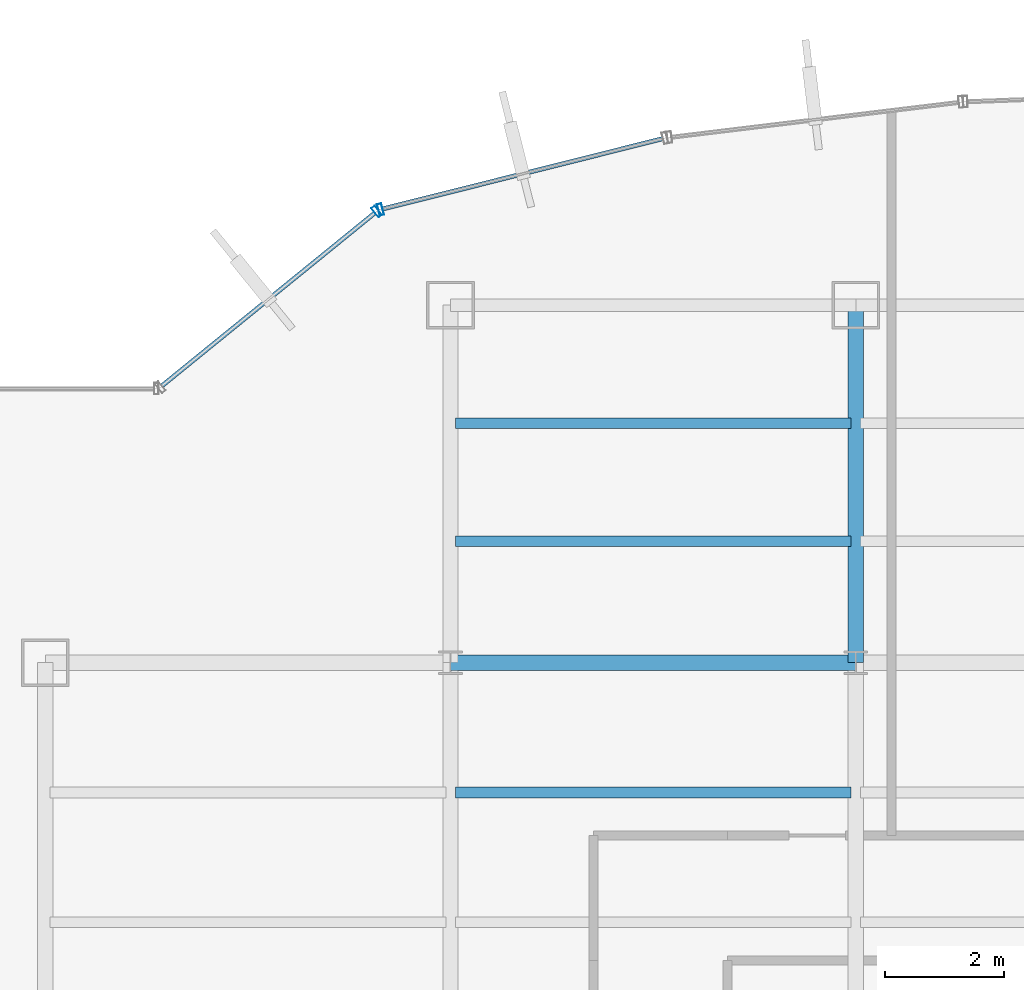
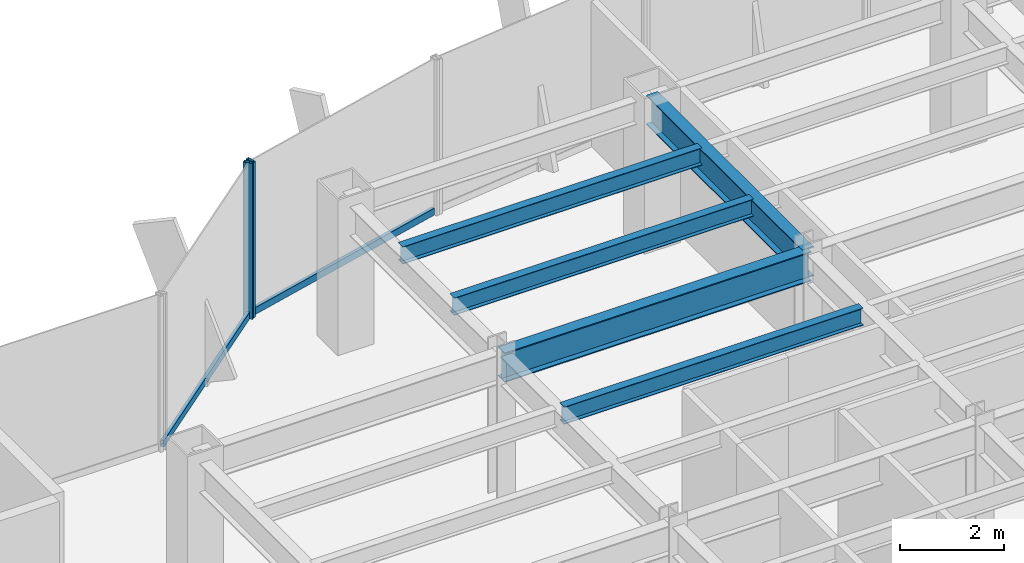
# One storey, part 14 of 26: 5 beams, 4 members, 2 elements without a shape of their own.
"""IFC4 building model written with IfcOpenShell, lengths in metres."""

import ifcopenshell
import ifcopenshell.guid

model = None  # the IFC model being written
_history = None  # IfcOwnerHistory: only IFC2X3 demands one
_inside = {}  # id of a spatial element -> (the spatial element, [elements in it])
_under = {}  # id of a project, library or spatial element -> (it, [spatial elements below it])
_declared = {}  # id of a project -> (the project, [libraries it declares])
_typed = {}  # id of a type object -> (the type object, [elements of that type])
_made_of = {}  # id of a material, layer set ... -> (it, [elements and type objects made of it])


def new_model(schema):
    """Start an empty IFC model of exactly this schema.

    Asked for "IFC4X3", IfcOpenShell would pick the latest addendum, in which some entities
    have other attributes; the version numbers below select the first issue.
    IFC2X3 requires an IfcOwnerHistory on every rooted entity: one is made here for all.
    """
    global model, _history
    if schema == "IFC4X3":
        model = ifcopenshell.file(schema_version=(4, 3, 0, 0))
    else:
        model = ifcopenshell.file(schema=schema)
    _inside.clear()
    _under.clear()
    _declared.clear()
    _typed.clear()
    _made_of.clear()
    _history = None
    if model.schema == "IFC2X3":
        org = make("IfcOrganization", Name="unknown")
        user = make(
            "IfcPersonAndOrganization",
            ThePerson=make("IfcPerson", FamilyName="unknown"),
            TheOrganization=org,
        )
        app = make(
            "IfcApplication",
            ApplicationDeveloper=org,
            Version="unknown",
            ApplicationFullName="unknown",
            ApplicationIdentifier="unknown",
        )
        _history = make(
            "IfcOwnerHistory",
            OwningUser=user,
            OwningApplication=app,
            ChangeAction="ADDED",
            CreationDate=0,
        )
    return model


def make(cls, **values):
    """One entity of the class cls with the attributes given. An attribute that is None is left unset."""
    return model.create_entity(
        cls, **{name: value for name, value in values.items() if value is not None}
    )


def rooted(cls, **values):
    """An entity with a GlobalId (a new one), such as an element, a storey or a relation."""
    return make(cls, GlobalId=ifcopenshell.guid.new(), OwnerHistory=_history, **values)


def si_unit(unit_type, name, prefix=None):
    """IfcSIUnit, for example si_unit("LENGTHUNIT", "METRE", prefix="MILLI")."""
    return make("IfcSIUnit", UnitType=unit_type, Prefix=prefix, Name=name)


def derived_unit(unit_type, elements):
    """IfcDerivedUnit: a product of units, each with its exponent."""
    return make(
        "IfcDerivedUnit",
        Elements=[
            make("IfcDerivedUnitElement", Unit=unit, Exponent=power)
            for unit, power in elements
        ],
        UnitType=unit_type,
    )


def assignment(units):
    """IfcUnitAssignment: the units of a project."""
    return None if units is None else make("IfcUnitAssignment", Units=units)


def point(xyz):
    """IfcCartesianPoint."""
    return None if xyz is None else make("IfcCartesianPoint", Coordinates=xyz)


def direction(xyz):
    """IfcDirection."""
    return None if xyz is None else make("IfcDirection", DirectionRatios=xyz)


def frame(location, z_axis=None, x_axis=None):
    """IfcAxis2Placement3D, a coordinate frame: its origin and axes. An axis left out is left unset."""
    return make(
        "IfcAxis2Placement3D",
        Location=point(location),
        Axis=direction(z_axis),
        RefDirection=direction(x_axis),
    )


def frame_2d(location, x_axis=None):
    """IfcAxis2Placement2D, a coordinate frame in the plane: its origin and x axis."""
    return make(
        "IfcAxis2Placement2D", Location=point(location), RefDirection=direction(x_axis)
    )


def origin():
    """The frame at (0, 0, 0) with its axes left unset."""
    return frame((0.0, 0.0, 0.0))


def origin_2d():
    """The frame at (0, 0) in the plane with its x axis left unset."""
    return frame_2d((0.0, 0.0))


def place(relative_to, where):
    """IfcLocalPlacement: puts the frame where relative to a parent placement (None: the world)."""
    return make(
        "IfcLocalPlacement", PlacementRelTo=relative_to, RelativePlacement=where
    )


def context(
    kind, dimensions, precision=None, world=None, true_north=None, identifier=None
):
    """IfcGeometricRepresentationContext, for example the 3D "Model" context."""
    return make(
        "IfcGeometricRepresentationContext",
        ContextIdentifier=identifier,
        ContextType=kind,
        CoordinateSpaceDimension=dimensions,
        Precision=precision,
        WorldCoordinateSystem=world,
        TrueNorth=true_north,
    )


def subcontext(parent, identifier, kind, view, scale=None):
    """IfcGeometricRepresentationSubContext, for example "Body" below "Model"."""
    return make(
        "IfcGeometricRepresentationSubContext",
        ContextIdentifier=identifier,
        ContextType=kind,
        ParentContext=parent,
        TargetScale=scale,
        TargetView=view,
    )


def project(units=None, contexts=None):
    """IfcProject with its units and contexts."""
    return rooted(
        "IfcProject",
        Name="project",
        RepresentationContexts=contexts,
        UnitsInContext=assignment(units),
    )


def spatial(cls, under=None, at=None, **own):
    """A site, building, storey or space (cls), placed at a placement, below another one or the project."""
    s = rooted(cls, ObjectPlacement=at, **own)
    if under is not None:
        _under.setdefault(under.id(), (under, []))[1].append(s)
    return s


def profile(cls, at=None, kind="AREA", **sizes):
    """A parametric profile (cls). Its sizes go by their IFC names, for example OverallWidth=200.0."""
    return make(cls, ProfileType=kind, Position=at, **sizes)


def hollow_rectangle(**sizes):
    """IfcRectangleHollowProfileDef."""
    return profile("IfcRectangleHollowProfileDef", **sizes)


def i_section(**sizes):
    """IfcIShapeProfileDef."""
    return profile("IfcIShapeProfileDef", **sizes)


def extrude(swept, where, along, depth):
    """IfcExtrudedAreaSolid: the profile swept, set in the frame where, extruded along a direction by depth."""
    return make(
        "IfcExtrudedAreaSolid",
        SweptArea=swept,
        Position=where,
        ExtrudedDirection=direction(along),
        Depth=depth,
    )


def shape(context_of_items, identifier, shape_type, items):
    """IfcShapeRepresentation: the items that make up one representation, for example the "Body"."""
    return make(
        "IfcShapeRepresentation",
        ContextOfItems=context_of_items,
        RepresentationIdentifier=identifier,
        RepresentationType=shape_type,
        Items=items,
    )


def source(mapping_origin, context_of_items, identifier, shape_type, items):
    """IfcRepresentationMap: a shape defined once, which mapped items show again and again."""
    return make(
        "IfcRepresentationMap",
        MappingOrigin=mapping_origin,
        MappedRepresentation=shape(context_of_items, identifier, shape_type, items),
    )


def transform(
    local_origin,
    x_axis=None,
    y_axis=None,
    z_axis=None,
    scale=None,
    scale2=None,
    scale3=None,
    uniform=True,
):
    """IfcCartesianTransformationOperator3D, or its non-uniform kind. x_axis, y_axis, z_axis: its Axis1, 2, 3."""
    if uniform:
        return make(
            "IfcCartesianTransformationOperator3D",
            Axis1=direction(x_axis),
            Axis2=direction(y_axis),
            LocalOrigin=point(local_origin),
            Scale=scale,
            Axis3=direction(z_axis),
        )
    return make(
        "IfcCartesianTransformationOperator3DnonUniform",
        Axis1=direction(x_axis),
        Axis2=direction(y_axis),
        LocalOrigin=point(local_origin),
        Scale=scale,
        Axis3=direction(z_axis),
        Scale2=scale2,
        Scale3=scale3,
    )


def mapped(mapping_source, mapping_target):
    """IfcMappedItem: shows the shape of a source again, moved by a transform."""
    return make(
        "IfcMappedItem", MappingSource=mapping_source, MappingTarget=mapping_target
    )


def material(Name=None, Category=None):
    """IfcMaterial."""
    return make("IfcMaterial", Name=Name, Category=Category)


def material_profile(
    of_material, cross_section, Name=None, Category=None, Priority=None
):
    """IfcMaterialProfile: a cross section and its material."""
    return make(
        "IfcMaterialProfile",
        Name=Name,
        Material=of_material,
        Profile=cross_section,
        Priority=Priority,
        Category=Category,
    )


def profile_set(profiles, Name=None, composite=None):
    """IfcMaterialProfileSet."""
    return make(
        "IfcMaterialProfileSet",
        Name=Name,
        MaterialProfiles=profiles,
        CompositeProfile=composite,
    )


def made_of(thing, what):
    """Note that an element or type object is made of a material, layer set ...; save() writes the relation."""
    if what is not None:
        _made_of.setdefault(what.id(), (what, []))[1].append(thing)
    return thing


def type_object(cls, material=None, **own):
    """A type object (cls), such as IfcWallType, which elements share."""
    return made_of(rooted(cls, **own), material)


def element(
    cls,
    number,
    at=None,
    inside=None,
    cuts=None,
    type_object=None,
    material=None,
    context=None,
    identifier="Body",
    shape_type=None,
    held_by="IfcProductDefinitionShape",
    body=None,
    shapes=None,
    **own,
):
    """One element of the class cls, such as IfcWall. Its Tag is "e" and its number.

    at: its placement. inside: the storey or other place that contains it. cuts: it is an
    opening in that element (IfcRelVoidsElement). A single representation is given by context,
    identifier, shape_type and body (its items); several are given by shapes. held_by: the class
    of the entity that holds the representations. save() writes the other relations.
    """
    e = rooted(cls, Tag="e%d" % number, ObjectPlacement=at, **own)
    if body is not None:
        shapes = [shape(context, identifier, shape_type, body)]
    if shapes is not None:
        e.Representation = make(held_by, Representations=shapes)
    if inside is not None:
        _inside.setdefault(inside.id(), (inside, []))[1].append(e)
    if cuts is not None:
        rooted(
            "IfcRelVoidsElement", RelatingBuildingElement=cuts, RelatedOpeningElement=e
        )
    if type_object is not None:
        _typed.setdefault(type_object.id(), (type_object, []))[1].append(e)
    return made_of(e, material)


def aggregate(whole, parts):
    """IfcRelAggregates: a whole, such as a stair, and the parts it consists of."""
    return rooted("IfcRelAggregates", RelatingObject=whole, RelatedObjects=parts)


def save(model, path):
    """Write the relations noted so far, then the file.

    IfcRelAggregates (storeys below a building ...), IfcRelContainedInSpatialStructure (elements
    in a storey), IfcRelDefinesByType, IfcRelAssociatesMaterial and IfcRelDeclares: one each for
    every whole, place, type object, material and project.
    """
    for whole, parts in _under.values():
        aggregate(whole, parts)
    for where, things in _inside.values():
        rooted(
            "IfcRelContainedInSpatialStructure",
            RelatedElements=things,
            RelatingStructure=where,
        )
    for kind, things in _typed.values():
        rooted("IfcRelDefinesByType", RelatedObjects=things, RelatingType=kind)
    for what, things in _made_of.values():
        rooted("IfcRelAssociatesMaterial", RelatedObjects=things, RelatingMaterial=what)
    for by, libraries in _declared.values():
        rooted("IfcRelDeclares", RelatingContext=by, RelatedDefinitions=libraries)
    model.write(path)


model = new_model("IFC4")

# Units and contexts
model_context = context("Model", 3, precision=1e-05, world=origin(), true_north=direction((0.0, 1.0)))
body_context = subcontext(model_context, "Body", "Model", "MODEL_VIEW")
ifc_project = project(units=[si_unit("LENGTHUNIT", "METRE"), si_unit("AREAUNIT", "SQUARE_METRE"), si_unit("VOLUMEUNIT", "CUBIC_METRE"), si_unit("PLANEANGLEUNIT", "RADIAN"), si_unit("MASSUNIT", "GRAM", prefix="KILO"), derived_unit("THERMALTRANSMITTANCEUNIT", [(si_unit("POWERUNIT", "WATT"), 1), (si_unit("LENGTHUNIT", "METRE"), -2), (si_unit("THERMODYNAMICTEMPERATUREUNIT", "KELVIN"), -1)])], contexts=[model_context])

# Site, building, storey
site_placement = place(None, origin())
site = spatial("IfcSite", under=ifc_project, at=site_placement, CompositionType="ELEMENT")
building_placement = place(site_placement, origin())
building = spatial("IfcBuilding", under=site, at=building_placement, Name="Skarnbrae Concourse Arena and Tower", CompositionType="ELEMENT")
storey_placement = place(building_placement, frame((0.0, 0.0, 92.300048828125)))
storey = spatial("IfcBuildingStorey", under=building, at=storey_placement, Name="L22", CompositionType="ELEMENT", Elevation=92.300048828125)

# Beams
ifc_material_1 = material(Name="Steel CSA G40.21 350W", Category="steel")
ifc_material_profile_1 = material_profile(ifc_material_1, i_section(OverallWidth=0.256103515625, OverallDepth=0.693115234375, WebThickness=0.014404296875, FlangeThickness=0.023681640625, at=origin_2d()), Name="W690X170")
ifc_profile_set_1 = profile_set([ifc_material_profile_1], Name="Steel CSA G40.21 350W")
beam_type_1 = type_object("IfcBeamType", Name="BM-GIRD-W690X170", PredefinedType="BEAM", material=ifc_profile_set_1)
shared_shape_1 = source(origin(), body_context, "Body", "SweptSolid", [
    extrude(i_section(OverallWidth=0.256103515625, OverallDepth=0.693115234375, WebThickness=0.014404296875, FlangeThickness=0.023681640625, at=origin_2d()), origin(), (0.0, 0.0, 1.0), 6.800048828125),
])
beam_1_placement = place(storey_placement, frame((14.39990234375, 34.39990234375, 3.053466796875), z_axis=(1.0, 0.0, 0.0), x_axis=(0.0, 1.0, 0.0)))
element("IfcBeam", 1, at=beam_1_placement, inside=storey, type_object=beam_type_1, Name="L22 Primary E-W girder Y34.4-2", PredefinedType="BEAM", context=body_context, shape_type="MappedRepresentation", body=[
    mapped(shared_shape_1, transform((0.0, 0.0, 0.0))),
])
shared_shape_2 = source(origin(), body_context, "Body", "SweptSolid", [
    extrude(i_section(OverallWidth=0.256103515625, OverallDepth=0.693115234375, WebThickness=0.014404296875, FlangeThickness=0.023681640625, at=origin_2d()), origin(), (0.0, 0.0, 1.0), 6.0),
])
beam_2_placement = place(storey_placement, frame((21.199951171875, 34.39990234375, 3.053466796875), z_axis=(0.0, 1.0, 0.0), x_axis=(-1.0, 0.0, 0.0)))
element("IfcBeam", 2, at=beam_2_placement, inside=storey, type_object=beam_type_1, Name="L22 Primary N-S girder X21.2-4", PredefinedType="BEAM", context=body_context, shape_type="MappedRepresentation", body=[
    mapped(shared_shape_2, transform((0.0, 0.0, 0.0))),
])
ifc_material_profile_2 = material_profile(ifc_material_1, i_section(OverallWidth=0.177978515625, OverallDepth=0.406982421875, WebThickness=0.0078125, FlangeThickness=0.0126953125, at=origin_2d()), Name="W410X60")
ifc_profile_set_2 = profile_set([ifc_material_profile_2], Name="Steel CSA G40.21 350W")
beam_type_2 = type_object("IfcBeamType", Name="BM-JOIST-W410X60", PredefinedType="JOIST", material=ifc_profile_set_2)
shared_shape_3 = source(origin(), body_context, "Body", "SweptSolid", [
    extrude(i_section(OverallWidth=0.177978515625, OverallDepth=0.406982421875, WebThickness=0.0078125, FlangeThickness=0.0126953125, at=origin_2d()), origin(), (0.0, 0.0, 1.0), 6.64013671875),
])
for number, where, z_axis, x_axis, name in (
    (3, (14.47998046875, 32.221923828125, 3.196533203125), (1.0, 0.0, 0.0), (0.0, 1.0, 0.0), "L22 Secondary floor joist 3.2.2"),
    (4, (14.47998046875, 36.43994140625, 3.196533203125), (1.0, 0.0, 0.0), (0.0, 1.0, 0.0), "L22 Secondary floor joist 4.1.1"),
    (5, (14.47998046875, 38.419921875, 3.196533203125), (1.0, 0.0, 0.0), (0.0, 1.0, 0.0), "L22 Secondary floor joist 4.2.1"),
):
    element("IfcBeam", number, at=place(storey_placement, frame(where, z_axis=z_axis, x_axis=x_axis)), inside=storey, type_object=beam_type_2, Name=name, PredefinedType="JOIST", context=body_context, shape_type="MappedRepresentation", body=[
        mapped(shared_shape_3, transform((0.0, 0.0, 0.0))),
    ])

# Curtain wall, member
ifc_material_2 = material(Name="Bronze anodised aluminium 6063-T6", Category="aluminium")
curtain_wall_type = type_object("IfcCurtainWallType", Name="CW-SYS-04-MIDZONE", PredefinedType="USERDEFINED", material=ifc_material_2)
curtain_wall_1_placement = place(storey_placement, origin())
curtain_wall_1 = element("IfcCurtainWall", 6, at=curtain_wall_1_placement, inside=storey, type_object=curtain_wall_type, Name="L22 Unitised curtain wall CW-L22-E15", ObjectType="UNITISED CURTAIN WALL", PredefinedType="USERDEFINED")
ifc_material_profile_3 = material_profile(ifc_material_2, hollow_rectangle(XDim=0.074951171875, YDim=0.159912109375, WallThickness=0.00439453125, at=origin_2d()), Name="ALU-TRAN-75X160")
ifc_profile_set_3 = profile_set([ifc_material_profile_3], Name="Bronze anodised aluminium 6063-T6")
member_type_1 = type_object("IfcMemberType", Name="CWT-CW-04", PredefinedType="USERDEFINED", material=ifc_profile_set_3)
shared_shape_4 = source(origin(), body_context, "Body", "SweptSolid", [
    extrude(hollow_rectangle(XDim=0.074951171875, YDim=0.159912109375, WallThickness=0.00439453125, at=origin_2d()), origin(), (0.0, 0.0, 1.0), 4.602294921875),
])
member_1_placement = place(storey_placement, frame((13.130615234375, 41.94873046875, 0.079833984375), z_axis=(-0.776251906445, -0.630422856297, 0.0), x_axis=(0.630422856297, -0.776251906445, 0.0)))
member_1 = element("IfcMember", 7, at=member_1_placement, type_object=member_type_1, Name="CW-L22-E15 Transom 1", ObjectType="TRANSOM", PredefinedType="USERDEFINED", context=body_context, shape_type="MappedRepresentation", body=[
    mapped(shared_shape_4, transform((0.0, 0.0, 0.0))),
])

# Curtain wall, members
curtain_wall_2_placement = place(storey_placement, origin())
curtain_wall_2 = element("IfcCurtainWall", 8, at=curtain_wall_2_placement, inside=storey, type_object=curtain_wall_type, Name="L22 Unitised curtain wall CW-L22-E14", ObjectType="UNITISED CURTAIN WALL", PredefinedType="USERDEFINED")
shared_shape_5 = source(origin(), body_context, "Body", "SweptSolid", [
    extrude(hollow_rectangle(XDim=0.074951171875, YDim=0.159912109375, WallThickness=0.00439453125, at=origin_2d()), origin(), (0.0, 0.0, 1.0), 4.84716796875),
])
member_2_placement = place(storey_placement, frame((17.963134765625, 43.194580078125, 0.079833984375), z_axis=(-0.969907992238, -0.243471736744, 0.0), x_axis=(0.243471736744, -0.969907992238, 0.0)))
member_2 = element("IfcMember", 9, at=member_2_placement, type_object=member_type_1, Name="CW-L22-E14 Transom 1", ObjectType="TRANSOM", PredefinedType="USERDEFINED", context=body_context, shape_type="MappedRepresentation", body=[
    mapped(shared_shape_5, transform((0.0, 0.0, 0.0))),
])
ifc_material_profile_4 = material_profile(ifc_material_2, hollow_rectangle(XDim=0.074951171875, YDim=0.195068359375, WallThickness=0.00439453125, at=origin_2d()), Name="ALU-MULL-75X195")
ifc_profile_set_4 = profile_set([ifc_material_profile_4], Name="Bronze anodised aluminium 6063-T6")
member_type_2 = type_object("IfcMemberType", Name="CWM-CW-04", PredefinedType="MULLION", material=ifc_profile_set_4)
shared_shape_6 = source(origin(), body_context, "Body", "SweptSolid", [
    extrude(hollow_rectangle(XDim=0.074951171875, YDim=0.195068359375, WallThickness=0.00439453125, at=origin_2d()), origin(), (0.0, 0.0, 1.0), 3.64990234375),
])
member_3_placement = place(storey_placement, frame((13.225341796875, 42.005126953125, 0.0), z_axis=(0.0, 0.0, 1.0), x_axis=(-0.969903046166, -0.243491439351, 0.0)))
member_3 = element("IfcMember", 10, at=member_3_placement, type_object=member_type_2, Name="CW-L22-E14 Mullion 2", PredefinedType="MULLION", context=body_context, shape_type="MappedRepresentation", body=[
    mapped(shared_shape_6, transform((0.0, 0.0, 0.0))),
])
aggregate(curtain_wall_2, [member_3, member_2])

# Member
member_4_placement = place(storey_placement, frame((13.159912109375, 41.972412109375, 0.0), z_axis=(0.0, 0.0, 1.0), x_axis=(-0.776241200471, -0.630436038542, 0.0)))
member_4 = element("IfcMember", 11, at=member_4_placement, type_object=member_type_2, Name="CW-L22-E15 Mullion 1", PredefinedType="MULLION", context=body_context, shape_type="MappedRepresentation", body=[
    mapped(shared_shape_6, transform((0.0, 0.0, 0.0))),
])

aggregate(curtain_wall_1, [member_4, member_1])

save(model, "model.ifc")
